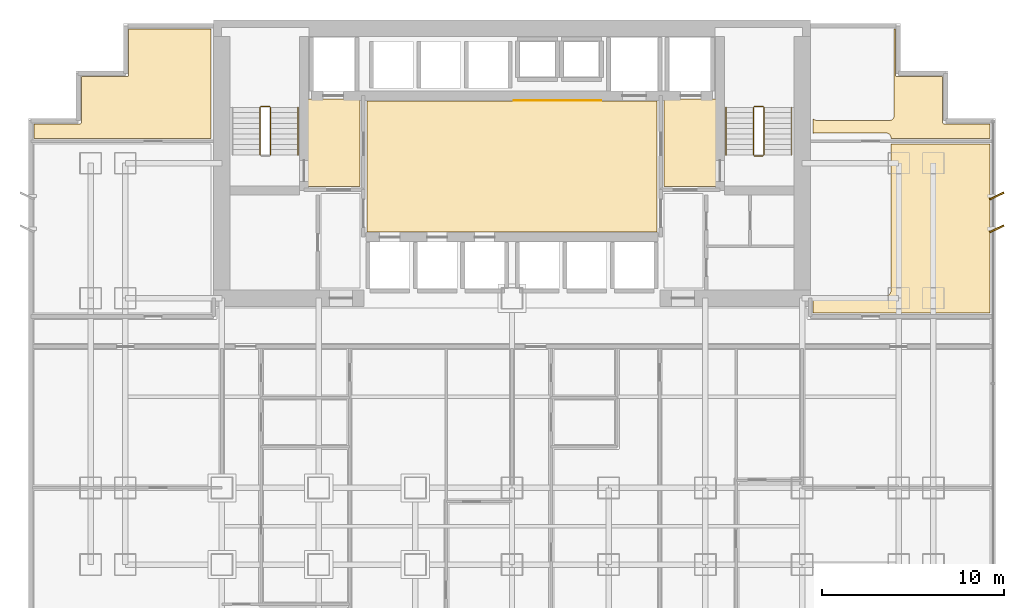
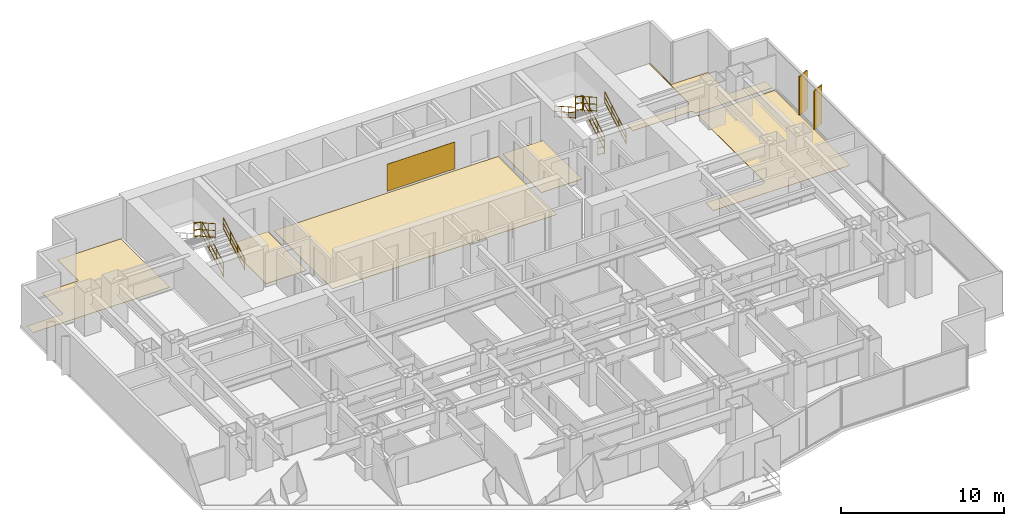
# One storey, part 12 of 12: 10 railings, 7 coverings, 2 shading devices.
"""IFC4 building model written with IfcOpenShell, lengths in metres."""

from ifc_helpers import new_model, si_unit, direction, frame, origin, origin_2d, place, context, subcontext, project, spatial, polyline, rectangle, circle, outline, extrude, source, transform, mapped, material, layer, layer_set, type_object, element, save


model = new_model("IFC4")

# Units and contexts
model_context = context("Model", 3, precision=1e-05, world=origin(), true_north=direction((0.0, 1.0)))
body_context = subcontext(model_context, "Body", "Model", "MODEL_VIEW")
ifc_project = project(units=[si_unit("LENGTHUNIT", "METRE"), si_unit("AREAUNIT", "SQUARE_METRE"), si_unit("VOLUMEUNIT", "CUBIC_METRE"), si_unit("PLANEANGLEUNIT", "RADIAN"), si_unit("MASSUNIT", "GRAM", prefix="KILO")], contexts=[model_context])

# Site, building, storey
site_placement = place(None, origin())
site = spatial("IfcSite", under=ifc_project, at=site_placement, CompositionType="ELEMENT")
building_placement = place(site_placement, origin())
building = spatial("IfcBuilding", under=site, at=building_placement, Name="Qianlan Lanfeng Residences", CompositionType="ELEMENT")
storey_placement = place(building_placement, frame((0.0, 0.0, 47.300048828125)))
storey = spatial("IfcBuildingStorey", under=building, at=storey_placement, Name="L12", CompositionType="ELEMENT", Elevation=47.300048828125)

# Coverings
ifc_material_1 = material(Name="Anodised Bronze Feature Wall Cladding")
ifc_layer_1 = layer(ifc_material_1, 0.02490234375)
ifc_layer_set_1 = layer_set([ifc_layer_1], Name="Anodised Bronze Feature Wall Cladding")
covering_type_1 = type_object("IfcCoveringType", Name="CLD-BRZ-25", PredefinedType="CLADDING", material=ifc_layer_set_1)
covering_1_placement = place(storey_placement, frame((0.0, 0.0, 0.14990234375)))
element("IfcCovering", 1, at=covering_1_placement, inside=storey, type_object=covering_type_1, Name="L12 Lift Lobby Bronze Feature Cladding", PredefinedType="CLADDING", context=body_context, shape_type="SweptSolid", body=[
    extrude(outline(polyline([(26.60009765625, 36.02490234375), (31.39990234375, 36.02490234375), (31.39990234375, 36.050048828125), (26.60009765625, 36.050048828125), (26.60009765625, 36.02490234375)])), origin(), (0.0, 0.0, 1.0), 2.02001953125),
])
ifc_material_2 = material(Name="Honed Taitung Granite Stone Flooring", Category="masonry")
ifc_layer_2 = layer(ifc_material_2, 0.030029296875)
ifc_layer_set_2 = layer_set([ifc_layer_2], Name="Honed Taitung Granite Stone Flooring")
covering_type_2 = type_object("IfcCoveringType", Name="FLR-STN-30", PredefinedType="FLOORING", material=ifc_layer_set_2)
covering_2_placement = place(storey_placement, origin())
element("IfcCovering", 2, at=covering_2_placement, inside=storey, type_object=covering_type_2, Name="L12 Firefighting Lift Lobby Floor Finish", PredefinedType="FLOORING", context=body_context, shape_type="SweptSolid", body=[
    extrude(outline(polyline([(15.2900390625, 31.320068359375), (18.179931640625, 31.320068359375), (18.179931640625, 36.110107421875), (15.2900390625, 36.110107421875), (15.2900390625, 31.320068359375)])), origin(), (0.0, 0.0, 1.0), 0.030029296875),
])
covering_3_placement = place(storey_placement, origin())
element("IfcCovering", 3, at=covering_3_placement, inside=storey, type_object=covering_type_2, Name="L12 Firefighting Lift Lobby Floor Finish", PredefinedType="FLOORING", context=body_context, shape_type="SweptSolid", body=[
    extrude(outline(polyline([(34.820068359375, 31.320068359375), (37.7099609375, 31.320068359375), (37.7099609375, 36.110107421875), (34.820068359375, 36.110107421875), (34.820068359375, 31.320068359375)])), origin(), (0.0, 0.0, 1.0), 0.030029296875),
])
covering_4_placement = place(storey_placement, origin())
element("IfcCovering", 4, at=covering_4_placement, inside=storey, type_object=covering_type_2, Name="L12 Lift Lobby Floor Finish", PredefinedType="FLOORING", context=body_context, shape_type="SweptSolid", body=[
    extrude(outline(polyline([(18.550048828125, 28.820068359375), (34.449951171875, 28.820068359375), (34.449951171875, 36.010009765625), (18.550048828125, 36.010009765625), (18.550048828125, 28.820068359375)])), origin(), (0.0, 0.0, 1.0), 0.030029296875),
])
ifc_material_3 = material(Name="Engineered Smoked Oak Timber Flooring", Category="wood")
ifc_layer_3 = layer(ifc_material_3, 0.02197265625)
ifc_layer_set_3 = layer_set([ifc_layer_3], Name="Engineered Smoked Oak Timber Flooring")
covering_type_3 = type_object("IfcCoveringType", Name="FLR-TIM-22", PredefinedType="FLOORING", material=ifc_layer_set_3)
covering_5_placement = place(storey_placement, origin())
element("IfcCovering", 5, at=covering_5_placement, inside=storey, type_object=covering_type_3, Name="L12 Resident Lounge Floor Finish", PredefinedType="FLOORING", context=body_context, shape_type="SweptSolid", body=[
    extrude(outline(polyline([(0.2900390625, 33.949951171875), (10.0, 33.949951171875), (10.0, 39.9599609375), (5.489990234375, 39.9599609375), (5.489990234375, 37.429931640625), (5.489990234375, 37.423095703125), (5.489013671875, 37.416015625), (5.487060546875, 37.409912109375), (5.485107421875, 37.403076171875), (5.48193359375, 37.39697265625), (5.47802734375, 37.39111328125), (5.47412109375, 37.385986328125), (5.468994140625, 37.381103515625), (5.464111328125, 37.3759765625), (5.458984375, 37.3720703125), (5.452880859375, 37.367919921875), (5.447021484375, 37.364990234375), (5.43994140625, 37.363037109375), (5.43408203125, 37.361083984375), (5.427001953125, 37.360107421875), (5.419921875, 37.360107421875), (2.889892578125, 37.360107421875), (2.889892578125, 34.830078125), (2.889892578125, 34.822998046875), (2.888916015625, 34.81591796875), (2.886962890625, 34.81005859375), (2.885009765625, 34.802978515625), (2.882080078125, 34.797119140625), (2.8779296875, 34.791015625), (2.8740234375, 34.785888671875), (2.868896484375, 34.781005859375), (2.864013671875, 34.77587890625), (2.85888671875, 34.77197265625), (2.85302734375, 34.76806640625), (2.846923828125, 34.764892578125), (2.840087890625, 34.762939453125), (2.833984375, 34.760986328125), (2.826904296875, 34.760009765625), (2.820068359375, 34.760009765625), (0.2900390625, 34.760009765625), (0.2900390625, 33.949951171875)])), origin(), (0.0, 0.0, 1.0), 0.02197265625),
])
covering_6_placement = place(storey_placement, origin())
element("IfcCovering", 6, at=covering_6_placement, inside=storey, type_object=covering_type_3, Name="L12 Piano Salon Floor Finish", PredefinedType="FLOORING", context=body_context, shape_type="SweptSolid", body=[
    extrude(outline(polyline([(52.7099609375, 33.64990234375), (47.27001953125, 33.64990234375), (47.27001953125, 25.60009765625), (47.26904296875, 25.574951171875), (47.264892578125, 25.551025390625), (47.259033203125, 25.527099609375), (47.2509765625, 25.50390625), (47.239990234375, 25.48193359375), (47.22802734375, 25.4609375), (47.212890625, 25.44091796875), (47.197021484375, 25.423095703125), (47.178955078125, 25.406982421875), (47.158935546875, 25.39208984375), (47.137939453125, 25.3798828125), (47.115966796875, 25.368896484375), (47.093017578125, 25.361083984375), (47.069091796875, 25.35498046875), (47.044921875, 25.35107421875), (47.02001953125, 25.35009765625), (43.080078125, 25.35009765625), (43.054931640625, 25.35107421875), (43.031005859375, 25.35498046875), (43.007080078125, 25.361083984375), (43.0, 25.363037109375), (43.0, 24.3798828125), (52.7099609375, 24.3798828125), (52.7099609375, 33.64990234375)])), origin(), (0.0, 0.0, 1.0), 0.02197265625),
])
covering_7_placement = place(storey_placement, origin())
element("IfcCovering", 7, at=covering_7_placement, inside=storey, type_object=covering_type_3, Name="L12 Resident Lounge Floor Finish", PredefinedType="FLOORING", context=body_context, shape_type="SweptSolid", body=[
    extrude(outline(polyline([(43.0, 34.237060546875), (43.007080078125, 34.239013671875), (43.031005859375, 34.2451171875), (43.054931640625, 34.2490234375), (43.080078125, 34.25), (47.02001953125, 34.25), (47.044921875, 34.2490234375), (47.069091796875, 34.2451171875), (47.093017578125, 34.239013671875), (47.115966796875, 34.23095703125), (47.137939453125, 34.219970703125), (47.158935546875, 34.2080078125), (47.178955078125, 34.193115234375), (47.197021484375, 34.177001953125), (47.212890625, 34.158935546875), (47.22802734375, 34.138916015625), (47.239990234375, 34.117919921875), (47.2509765625, 34.095947265625), (47.259033203125, 34.072998046875), (47.264892578125, 34.049072265625), (47.26904296875, 34.02490234375), (47.27001953125, 34.0), (47.27001953125, 33.949951171875), (52.7099609375, 33.949951171875), (52.7099609375, 34.760009765625), (50.179931640625, 34.760009765625), (50.173095703125, 34.760009765625), (50.166015625, 34.760986328125), (50.159912109375, 34.762939453125), (50.153076171875, 34.764892578125), (50.14697265625, 34.76806640625), (50.14111328125, 34.77197265625), (50.135986328125, 34.77587890625), (50.131103515625, 34.781005859375), (50.1259765625, 34.785888671875), (50.1220703125, 34.791015625), (50.117919921875, 34.797119140625), (50.114990234375, 34.802978515625), (50.113037109375, 34.81005859375), (50.111083984375, 34.81591796875), (50.110107421875, 34.822998046875), (50.110107421875, 34.830078125), (50.110107421875, 37.360107421875), (47.580078125, 37.360107421875), (47.572998046875, 37.360107421875), (47.56591796875, 37.361083984375), (47.56005859375, 37.363037109375), (47.552978515625, 37.364990234375), (47.547119140625, 37.367919921875), (47.541015625, 37.3720703125), (47.535888671875, 37.3759765625), (47.531005859375, 37.381103515625), (47.52587890625, 37.385986328125), (47.52197265625, 37.39111328125), (47.51806640625, 37.39697265625), (47.514892578125, 37.403076171875), (47.512939453125, 37.409912109375), (47.510986328125, 37.416015625), (47.510009765625, 37.423095703125), (47.510009765625, 37.429931640625), (47.510009765625, 39.9599609375), (47.449951171875, 39.9599609375), (47.449951171875, 35.199951171875), (47.448974609375, 35.175048828125), (47.445068359375, 35.15087890625), (47.43896484375, 35.126953125), (47.430908203125, 35.10400390625), (47.419921875, 35.08203125), (47.407958984375, 35.06103515625), (47.39306640625, 35.041015625), (47.376953125, 35.02294921875), (47.35888671875, 35.007080078125), (47.339111328125, 34.991943359375), (47.318115234375, 34.97998046875), (47.2958984375, 34.968994140625), (47.27294921875, 34.9609375), (47.2490234375, 34.955078125), (47.22509765625, 34.950927734375), (47.199951171875, 34.949951171875), (43.199951171875, 34.949951171875), (43.175048828125, 34.950927734375), (43.15087890625, 34.955078125), (43.126953125, 34.9609375), (43.10400390625, 34.968994140625), (43.08203125, 34.97998046875), (43.06103515625, 34.991943359375), (43.041015625, 35.007080078125), (43.02294921875, 35.02294921875), (43.007080078125, 35.041015625), (43.0, 35.050048828125), (43.0, 34.237060546875)])), origin(), (0.0, 0.0, 1.0), 0.02197265625),
])

# Railings
ifc_material_4 = material(Name="Painted Galvanised Steel Guardrail", Category="steel")
railing_type_1 = type_object("IfcRailingType", Name="GR-ST-1120", PredefinedType="GUARDRAIL", material=ifc_material_4)
railing_1_placement = place(storey_placement, frame((13.27001953125, 33.050048828125, 0.1650390625)))
element("IfcRailing", 8, at=railing_1_placement, inside=storey, type_object=railing_type_1, Name="L12 ST-1 stair guard 1", PredefinedType="GUARDRAIL", context=body_context, shape_type="SweptSolid", body=[
    extrude(circle(Radius=0.02392578125, at=origin_2d()), frame((0.0, 0.0, 0.083984375), z_axis=(0.0, 0.869172267526, 0.494509422927), x_axis=(-1.0, 0.0, 0.0)), (0.0, 0.0, 1.0), 3.002685546875),
    extrude(circle(Radius=0.02392578125, at=origin_2d()), frame((0.0, 0.0, 0.58251953125), z_axis=(0.0, 0.869172267526, 0.494509422927), x_axis=(-1.0, 0.0, 0.0)), (0.0, 0.0, 1.0), 3.002685546875),
    extrude(circle(Radius=0.02392578125, at=origin_2d()), frame((0.0, 0.0, 1.09619140625), z_axis=(0.0, 0.869172267526, 0.494509422927), x_axis=(-1.0, 0.0, 0.0)), (0.0, 0.0, 1.0), 3.002685546875),
    extrude(circle(Radius=0.02099609375, at=origin_2d()), origin(), (0.0, 0.0, 1.0), 1.072021484375),
    extrude(circle(Radius=0.02099609375, at=origin_2d()), frame((0.0, 0.869873046875, 0.494873046875)), (0.0, 0.0, 1.0), 1.072021484375),
    extrude(circle(Radius=0.02099609375, at=origin_2d()), frame((0.0, 1.739990234375, 0.989990234375)), (0.0, 0.0, 1.0), 1.072021484375),
    extrude(circle(Radius=0.02099609375, at=origin_2d()), frame((0.0, 2.60986328125, 1.48486328125)), (0.0, 0.0, 1.0), 1.072021484375),
])
railing_2_placement = place(storey_placement, frame((13.219970703125, 35.7099609375, 1.64990234375)))
element("IfcRailing", 9, at=railing_2_placement, inside=storey, type_object=railing_type_1, Name="L12 ST-1 stair guard 2", PredefinedType="GUARDRAIL", context=body_context, shape_type="SweptSolid", body=[
    extrude(circle(Radius=0.02392578125, at=origin_2d()), frame((0.0, 0.0, 0.083984375), z_axis=(-1.0, 0.0, 0.0), x_axis=(0.0, -1.0, 0.0)), (0.0, 0.0, 1.0), 0.47998046875),
    extrude(circle(Radius=0.02392578125, at=origin_2d()), frame((0.0, 0.0, 0.58251953125), z_axis=(-1.0, 0.0, 0.0), x_axis=(0.0, -1.0, 0.0)), (0.0, 0.0, 1.0), 0.47998046875),
    extrude(circle(Radius=0.02392578125, at=origin_2d()), frame((0.0, 0.0, 1.09619140625), z_axis=(-1.0, 0.0, 0.0), x_axis=(0.0, -1.0, 0.0)), (0.0, 0.0, 1.0), 0.47998046875),
    extrude(circle(Radius=0.02099609375, at=origin_2d()), origin(), (0.0, 0.0, 1.0), 1.072021484375),
    extrude(circle(Radius=0.02099609375, at=origin_2d()), frame((-0.47998046875, 0.0, 0.0)), (0.0, 0.0, 1.0), 1.072021484375),
])
railing_3_placement = place(storey_placement, frame((12.68994140625, 35.659912109375, 1.81494140625)))
element("IfcRailing", 10, at=railing_3_placement, inside=storey, type_object=railing_type_1, Name="L12 ST-1 stair guard 3", PredefinedType="GUARDRAIL", context=body_context, shape_type="SweptSolid", body=[
    extrude(circle(Radius=0.02392578125, at=origin_2d()), frame((0.0, 0.0, 0.083984375), z_axis=(0.0, -0.869137319866, 0.494570843475), x_axis=(1.0, 0.0, 0.0)), (0.0, 0.0, 1.0), 3.0029296875),
    extrude(circle(Radius=0.02392578125, at=origin_2d()), frame((0.0, 0.0, 0.58251953125), z_axis=(0.0, -0.869137319866, 0.494570843475), x_axis=(1.0, 0.0, 0.0)), (0.0, 0.0, 1.0), 3.0029296875),
    extrude(circle(Radius=0.02392578125, at=origin_2d()), frame((0.0, 0.0, 1.09619140625), z_axis=(0.0, -0.869137319866, 0.494570843475), x_axis=(1.0, 0.0, 0.0)), (0.0, 0.0, 1.0), 3.0029296875),
    extrude(circle(Radius=0.02099609375, at=origin_2d()), origin(), (0.0, 0.0, 1.0), 1.072021484375),
    extrude(circle(Radius=0.02099609375, at=origin_2d()), frame((0.0, -0.869873046875, 0.4951171875)), (0.0, 0.0, 1.0), 1.072021484375),
    extrude(circle(Radius=0.02099609375, at=origin_2d()), frame((0.0, -1.739990234375, 0.989990234375)), (0.0, 0.0, 1.0), 1.072021484375),
    extrude(circle(Radius=0.02099609375, at=origin_2d()), frame((0.0, -2.60986328125, 1.485107421875)), (0.0, 0.0, 1.0), 1.072021484375),
])
railing_4_placement = place(storey_placement, frame((40.31005859375, 33.050048828125, 0.1650390625)))
element("IfcRailing", 11, at=railing_4_placement, inside=storey, type_object=railing_type_1, Name="L12 ST-2 stair guard 1", PredefinedType="GUARDRAIL", context=body_context, shape_type="SweptSolid", body=[
    extrude(circle(Radius=0.02392578125, at=origin_2d()), frame((0.0, 0.0, 0.083984375), z_axis=(0.0, 0.869172267526, 0.494509422927), x_axis=(-1.0, 0.0, 0.0)), (0.0, 0.0, 1.0), 3.002685546875),
    extrude(circle(Radius=0.02392578125, at=origin_2d()), frame((0.0, 0.0, 0.58251953125), z_axis=(0.0, 0.869172267526, 0.494509422927), x_axis=(-1.0, 0.0, 0.0)), (0.0, 0.0, 1.0), 3.002685546875),
    extrude(circle(Radius=0.02392578125, at=origin_2d()), frame((0.0, 0.0, 1.09619140625), z_axis=(0.0, 0.869172267526, 0.494509422927), x_axis=(-1.0, 0.0, 0.0)), (0.0, 0.0, 1.0), 3.002685546875),
    extrude(circle(Radius=0.02099609375, at=origin_2d()), origin(), (0.0, 0.0, 1.0), 1.072021484375),
    extrude(circle(Radius=0.02099609375, at=origin_2d()), frame((0.0, 0.869873046875, 0.494873046875)), (0.0, 0.0, 1.0), 1.072021484375),
    extrude(circle(Radius=0.02099609375, at=origin_2d()), frame((0.0, 1.739990234375, 0.989990234375)), (0.0, 0.0, 1.0), 1.072021484375),
    extrude(circle(Radius=0.02099609375, at=origin_2d()), frame((0.0, 2.60986328125, 1.48486328125)), (0.0, 0.0, 1.0), 1.072021484375),
])
railing_5_placement = place(storey_placement, frame((40.260009765625, 35.7099609375, 1.64990234375)))
element("IfcRailing", 12, at=railing_5_placement, inside=storey, type_object=railing_type_1, Name="L12 ST-2 stair guard 2", PredefinedType="GUARDRAIL", context=body_context, shape_type="SweptSolid", body=[
    extrude(circle(Radius=0.02392578125, at=origin_2d()), frame((0.0, 0.0, 0.083984375), z_axis=(-1.0, 0.0, 0.0), x_axis=(0.0, -1.0, 0.0)), (0.0, 0.0, 1.0), 0.47998046875),
    extrude(circle(Radius=0.02392578125, at=origin_2d()), frame((0.0, 0.0, 0.58251953125), z_axis=(-1.0, 0.0, 0.0), x_axis=(0.0, -1.0, 0.0)), (0.0, 0.0, 1.0), 0.47998046875),
    extrude(circle(Radius=0.02392578125, at=origin_2d()), frame((0.0, 0.0, 1.09619140625), z_axis=(-1.0, 0.0, 0.0), x_axis=(0.0, -1.0, 0.0)), (0.0, 0.0, 1.0), 0.47998046875),
    extrude(circle(Radius=0.02099609375, at=origin_2d()), origin(), (0.0, 0.0, 1.0), 1.072021484375),
    extrude(circle(Radius=0.02099609375, at=origin_2d()), frame((-0.47998046875, 0.0, 0.0)), (0.0, 0.0, 1.0), 1.072021484375),
])
railing_6_placement = place(storey_placement, frame((39.72998046875, 35.659912109375, 1.81494140625)))
element("IfcRailing", 13, at=railing_6_placement, inside=storey, type_object=railing_type_1, Name="L12 ST-2 stair guard 3", PredefinedType="GUARDRAIL", context=body_context, shape_type="SweptSolid", body=[
    extrude(circle(Radius=0.02392578125, at=origin_2d()), frame((0.0, 0.0, 0.083984375), z_axis=(0.0, -0.869137319866, 0.494570843475), x_axis=(1.0, 0.0, 0.0)), (0.0, 0.0, 1.0), 3.0029296875),
    extrude(circle(Radius=0.02392578125, at=origin_2d()), frame((0.0, 0.0, 0.58251953125), z_axis=(0.0, -0.869137319866, 0.494570843475), x_axis=(1.0, 0.0, 0.0)), (0.0, 0.0, 1.0), 3.0029296875),
    extrude(circle(Radius=0.02392578125, at=origin_2d()), frame((0.0, 0.0, 1.09619140625), z_axis=(0.0, -0.869137319866, 0.494570843475), x_axis=(1.0, 0.0, 0.0)), (0.0, 0.0, 1.0), 3.0029296875),
    extrude(circle(Radius=0.02099609375, at=origin_2d()), origin(), (0.0, 0.0, 1.0), 1.072021484375),
    extrude(circle(Radius=0.02099609375, at=origin_2d()), frame((0.0, -0.869873046875, 0.4951171875)), (0.0, 0.0, 1.0), 1.072021484375),
    extrude(circle(Radius=0.02099609375, at=origin_2d()), frame((0.0, -1.739990234375, 0.989990234375)), (0.0, 0.0, 1.0), 1.072021484375),
    extrude(circle(Radius=0.02099609375, at=origin_2d()), frame((0.0, -2.60986328125, 1.485107421875)), (0.0, 0.0, 1.0), 1.072021484375),
])
railing_7_placement = place(storey_placement, frame((40.260009765625, 33.0, 0.0)))
element("IfcRailing", 14, at=railing_7_placement, inside=storey, type_object=railing_type_1, Name="L12 ST-2 stair guard 4", PredefinedType="GUARDRAIL", context=body_context, shape_type="SweptSolid", body=[
    extrude(circle(Radius=0.02392578125, at=origin_2d()), frame((0.0, 0.0, 0.083984375), z_axis=(-1.0, 0.0, 0.0), x_axis=(0.0, -1.0, 0.0)), (0.0, 0.0, 1.0), 0.47998046875),
    extrude(circle(Radius=0.02392578125, at=origin_2d()), frame((0.0, 0.0, 0.58251953125), z_axis=(-1.0, 0.0, 0.0), x_axis=(0.0, -1.0, 0.0)), (0.0, 0.0, 1.0), 0.47998046875),
    extrude(circle(Radius=0.02392578125, at=origin_2d()), frame((0.0, 0.0, 1.09619140625), z_axis=(-1.0, 0.0, 0.0), x_axis=(0.0, -1.0, 0.0)), (0.0, 0.0, 1.0), 0.47998046875),
    extrude(circle(Radius=0.02099609375, at=origin_2d()), origin(), (0.0, 0.0, 1.0), 1.072021484375),
    extrude(circle(Radius=0.02099609375, at=origin_2d()), frame((-0.47998046875, 0.0, 0.0)), (0.0, 0.0, 1.0), 1.072021484375),
])
ifc_material_5 = material(Name="Brushed Stainless Steel Handrail", Category="steel")
railing_type_2 = type_object("IfcRailingType", Name="HR-ST-920", PredefinedType="HANDRAIL", material=ifc_material_5)
for number, where, name in (
    (15, (14.77001953125, 33.050048828125, 0.1650390625), "L12 ST-1 stair handrail 1"),
    (16, (41.81005859375, 33.050048828125, 0.1650390625), "L12 ST-2 stair handrail 1"),
):
    element("IfcRailing", number, at=place(storey_placement, frame(where)), inside=storey, type_object=railing_type_2, Name=name, PredefinedType="HANDRAIL", context=body_context, shape_type="SweptSolid", body=[
        extrude(circle(Radius=0.02392578125, at=origin_2d()), frame((0.0, 0.0, 0.083984375), z_axis=(0.0, 0.869172267526, 0.494509422927), x_axis=(-1.0, 0.0, 0.0)), (0.0, 0.0, 1.0), 3.002685546875),
        extrude(circle(Radius=0.02392578125, at=origin_2d()), frame((0.0, 0.0, 0.468017578125), z_axis=(0.0, 0.869172267526, 0.494509422927), x_axis=(-1.0, 0.0, 0.0)), (0.0, 0.0, 1.0), 3.002685546875),
        extrude(circle(Radius=0.02392578125, at=origin_2d()), frame((0.0, 0.0, 0.8759765625), z_axis=(0.0, 0.869172267526, 0.494509422927), x_axis=(-1.0, 0.0, 0.0)), (0.0, 0.0, 1.0), 3.002685546875),
        extrude(circle(Radius=0.02099609375, at=origin_2d()), origin(), (0.0, 0.0, 1.0), 0.851806640625),
        extrude(circle(Radius=0.02099609375, at=origin_2d()), frame((0.0, 0.869873046875, 0.494873046875)), (0.0, 0.0, 1.0), 0.851806640625),
        extrude(circle(Radius=0.02099609375, at=origin_2d()), frame((0.0, 1.739990234375, 0.989990234375)), (0.0, 0.0, 1.0), 0.851806640625),
        extrude(circle(Radius=0.02099609375, at=origin_2d()), frame((0.0, 2.60986328125, 1.48486328125)), (0.0, 0.0, 1.0), 0.851806640625),
    ])
railing_8_placement = place(storey_placement, frame((38.22998046875, 35.659912109375, 1.81494140625)))
element("IfcRailing", 17, at=railing_8_placement, inside=storey, type_object=railing_type_2, Name="L12 ST-2 stair handrail 2", PredefinedType="HANDRAIL", context=body_context, shape_type="SweptSolid", body=[
    extrude(circle(Radius=0.02392578125, at=origin_2d()), frame((0.0, 0.0, 0.083984375), z_axis=(0.0, -0.869137319866, 0.494570843475), x_axis=(1.0, 0.0, 0.0)), (0.0, 0.0, 1.0), 3.0029296875),
    extrude(circle(Radius=0.02392578125, at=origin_2d()), frame((0.0, 0.0, 0.468017578125), z_axis=(0.0, -0.869137319866, 0.494570843475), x_axis=(1.0, 0.0, 0.0)), (0.0, 0.0, 1.0), 3.0029296875),
    extrude(circle(Radius=0.02392578125, at=origin_2d()), frame((0.0, 0.0, 0.8759765625), z_axis=(0.0, -0.869137319866, 0.494570843475), x_axis=(1.0, 0.0, 0.0)), (0.0, 0.0, 1.0), 3.0029296875),
    extrude(circle(Radius=0.02099609375, at=origin_2d()), origin(), (0.0, 0.0, 1.0), 0.851806640625),
    extrude(circle(Radius=0.02099609375, at=origin_2d()), frame((0.0, -0.869873046875, 0.4951171875)), (0.0, 0.0, 1.0), 0.851806640625),
    extrude(circle(Radius=0.02099609375, at=origin_2d()), frame((0.0, -1.739990234375, 0.989990234375)), (0.0, 0.0, 1.0), 0.851806640625),
    extrude(circle(Radius=0.02099609375, at=origin_2d()), frame((0.0, -2.60986328125, 1.485107421875)), (0.0, 0.0, 1.0), 0.851806640625),
])

# Shading devices
ifc_material_6 = material(Name="Anodised Bronze Aluminium Solar Fin", Category="aluminium")
shading_device_type = type_object("IfcShadingDeviceType", Name="FIN-BRZ-850", PredefinedType="SHUTTER", material=ifc_material_6)
shared_shape = source(origin(), body_context, "Body", "SweptSolid", [
    extrude(rectangle(XDim=0.85009765625, YDim=0.080078125, at=origin_2d()), origin(), (0.0, 0.0, 1.0), 2.89990234375),
])
for number, where, z_axis, x_axis, name in (
    (18, (53.070068359375, 29.0, 0.0), (0.0, 0.0, 1.0), (0.898794046299, 0.438371146789, 0.0), "L12 Raked Bronze Solar Fin E1"),
    (19, (53.070068359375, 30.800048828125, 0.0), (0.0, 0.0, 1.0), (0.898794046299, 0.438371146789, 0.0), "L12 Raked Bronze Solar Fin E2"),
):
    element("IfcShadingDevice", number, at=place(storey_placement, frame(where, z_axis=z_axis, x_axis=x_axis)), inside=storey, type_object=shading_device_type, Name=name, PredefinedType="SHUTTER", context=body_context, shape_type="MappedRepresentation", body=[
        mapped(shared_shape, transform((0.0, 0.0, 0.0), scale=1.0)),
    ])

save(model, "model.ifc")
